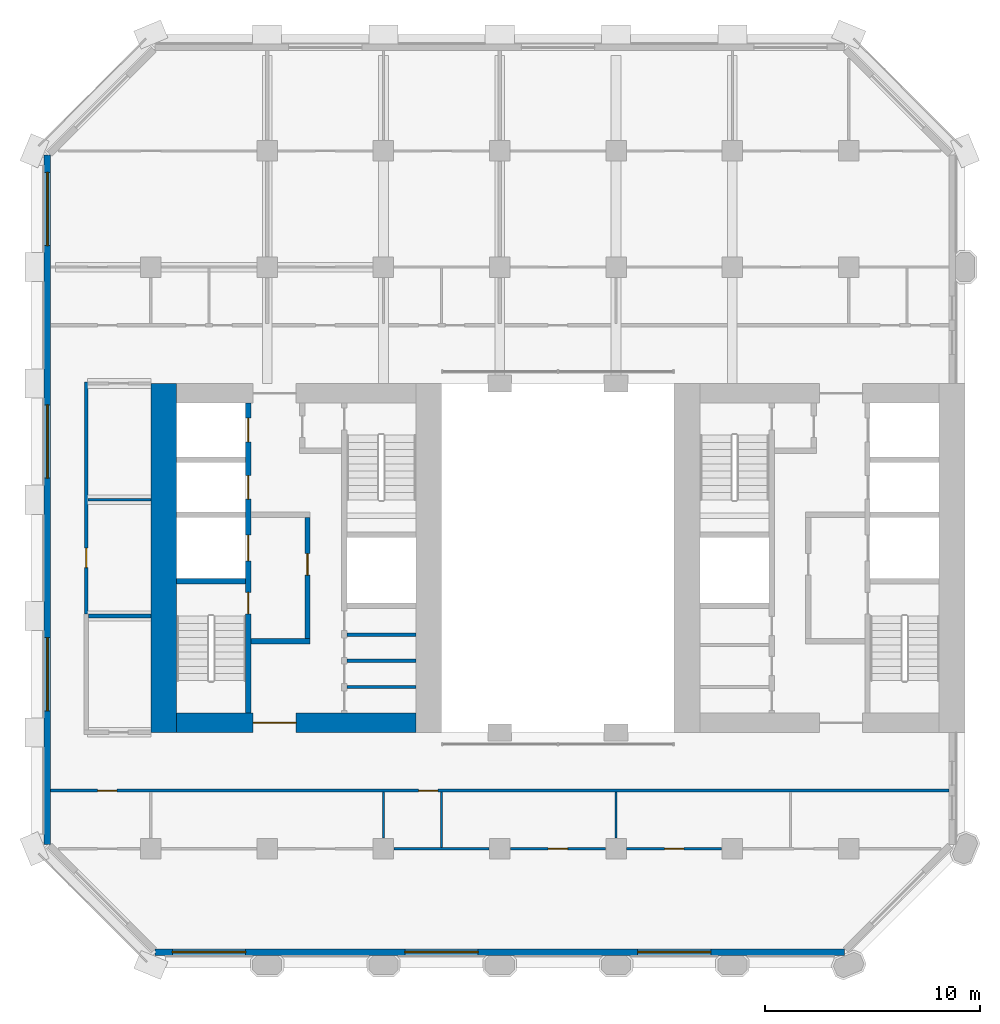
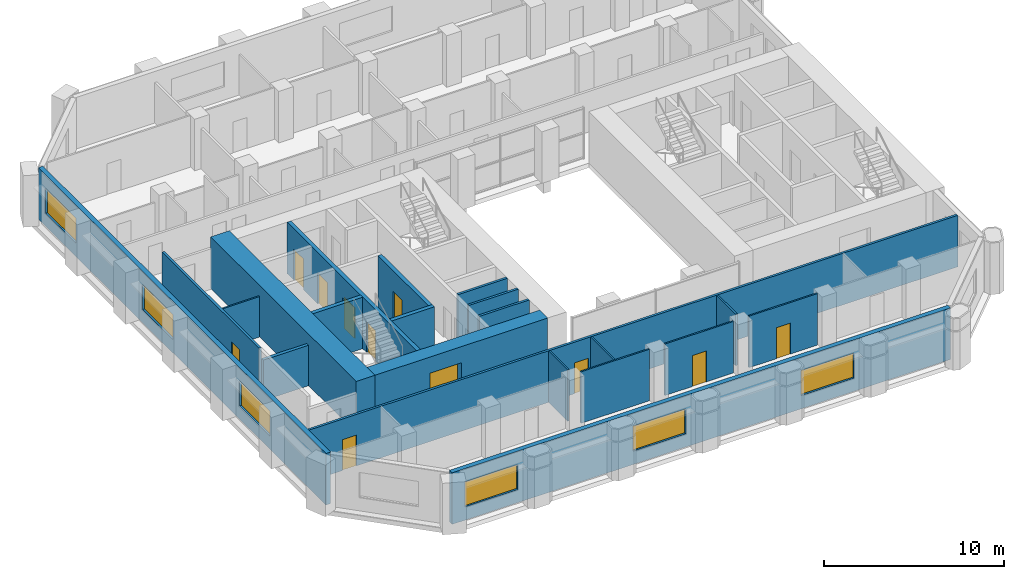
# One storey, part 6 of 13: 21 walls, 11 doors, 6 windows, 17 openings.
"""IFC4 building model written with IfcOpenShell, lengths in metres."""

import ifcopenshell
import ifcopenshell.guid

model = None  # the IFC model being written
_history = None  # IfcOwnerHistory: only IFC2X3 demands one
_inside = {}  # id of a spatial element -> (the spatial element, [elements in it])
_under = {}  # id of a project, library or spatial element -> (it, [spatial elements below it])
_declared = {}  # id of a project -> (the project, [libraries it declares])
_typed = {}  # id of a type object -> (the type object, [elements of that type])
_made_of = {}  # id of a material, layer set ... -> (it, [elements and type objects made of it])


def new_model(schema):
    """Start an empty IFC model of exactly this schema.

    Asked for "IFC4X3", IfcOpenShell would pick the latest addendum, in which some entities
    have other attributes; the version numbers below select the first issue.
    IFC2X3 requires an IfcOwnerHistory on every rooted entity: one is made here for all.
    """
    global model, _history
    if schema == "IFC4X3":
        model = ifcopenshell.file(schema_version=(4, 3, 0, 0))
    else:
        model = ifcopenshell.file(schema=schema)
    _inside.clear()
    _under.clear()
    _declared.clear()
    _typed.clear()
    _made_of.clear()
    _history = None
    if model.schema == "IFC2X3":
        org = make("IfcOrganization", Name="unknown")
        user = make(
            "IfcPersonAndOrganization",
            ThePerson=make("IfcPerson", FamilyName="unknown"),
            TheOrganization=org,
        )
        app = make(
            "IfcApplication",
            ApplicationDeveloper=org,
            Version="unknown",
            ApplicationFullName="unknown",
            ApplicationIdentifier="unknown",
        )
        _history = make(
            "IfcOwnerHistory",
            OwningUser=user,
            OwningApplication=app,
            ChangeAction="ADDED",
            CreationDate=0,
        )
    return model


def make(cls, **values):
    """One entity of the class cls with the attributes given. An attribute that is None is left unset."""
    return model.create_entity(
        cls, **{name: value for name, value in values.items() if value is not None}
    )


def rooted(cls, **values):
    """An entity with a GlobalId (a new one), such as an element, a storey or a relation."""
    return make(cls, GlobalId=ifcopenshell.guid.new(), OwnerHistory=_history, **values)


def si_unit(unit_type, name, prefix=None):
    """IfcSIUnit, for example si_unit("LENGTHUNIT", "METRE", prefix="MILLI")."""
    return make("IfcSIUnit", UnitType=unit_type, Prefix=prefix, Name=name)


def assignment(units):
    """IfcUnitAssignment: the units of a project."""
    return None if units is None else make("IfcUnitAssignment", Units=units)


def point(xyz):
    """IfcCartesianPoint."""
    return None if xyz is None else make("IfcCartesianPoint", Coordinates=xyz)


def direction(xyz):
    """IfcDirection."""
    return None if xyz is None else make("IfcDirection", DirectionRatios=xyz)


def frame(location, z_axis=None, x_axis=None):
    """IfcAxis2Placement3D, a coordinate frame: its origin and axes. An axis left out is left unset."""
    return make(
        "IfcAxis2Placement3D",
        Location=point(location),
        Axis=direction(z_axis),
        RefDirection=direction(x_axis),
    )


def frame_2d(location, x_axis=None):
    """IfcAxis2Placement2D, a coordinate frame in the plane: its origin and x axis."""
    return make(
        "IfcAxis2Placement2D", Location=point(location), RefDirection=direction(x_axis)
    )


def origin():
    """The frame at (0, 0, 0) with its axes left unset."""
    return frame((0.0, 0.0, 0.0))


def place(relative_to, where):
    """IfcLocalPlacement: puts the frame where relative to a parent placement (None: the world)."""
    return make(
        "IfcLocalPlacement", PlacementRelTo=relative_to, RelativePlacement=where
    )


def context(
    kind, dimensions, precision=None, world=None, true_north=None, identifier=None
):
    """IfcGeometricRepresentationContext, for example the 3D "Model" context."""
    return make(
        "IfcGeometricRepresentationContext",
        ContextIdentifier=identifier,
        ContextType=kind,
        CoordinateSpaceDimension=dimensions,
        Precision=precision,
        WorldCoordinateSystem=world,
        TrueNorth=true_north,
    )


def subcontext(parent, identifier, kind, view, scale=None):
    """IfcGeometricRepresentationSubContext, for example "Body" below "Model"."""
    return make(
        "IfcGeometricRepresentationSubContext",
        ContextIdentifier=identifier,
        ContextType=kind,
        ParentContext=parent,
        TargetScale=scale,
        TargetView=view,
    )


def project(units=None, contexts=None):
    """IfcProject with its units and contexts."""
    return rooted(
        "IfcProject",
        Name="project",
        RepresentationContexts=contexts,
        UnitsInContext=assignment(units),
    )


def spatial(cls, under=None, at=None, **own):
    """A site, building, storey or space (cls), placed at a placement, below another one or the project."""
    s = rooted(cls, ObjectPlacement=at, **own)
    if under is not None:
        _under.setdefault(under.id(), (under, []))[1].append(s)
    return s


def profile(cls, at=None, kind="AREA", **sizes):
    """A parametric profile (cls). Its sizes go by their IFC names, for example OverallWidth=200.0."""
    return make(cls, ProfileType=kind, Position=at, **sizes)


def rectangle(**sizes):
    """IfcRectangleProfileDef."""
    return profile("IfcRectangleProfileDef", **sizes)


def extrude(swept, where, along, depth):
    """IfcExtrudedAreaSolid: the profile swept, set in the frame where, extruded along a direction by depth."""
    return make(
        "IfcExtrudedAreaSolid",
        SweptArea=swept,
        Position=where,
        ExtrudedDirection=direction(along),
        Depth=depth,
    )


def shape(context_of_items, identifier, shape_type, items):
    """IfcShapeRepresentation: the items that make up one representation, for example the "Body"."""
    return make(
        "IfcShapeRepresentation",
        ContextOfItems=context_of_items,
        RepresentationIdentifier=identifier,
        RepresentationType=shape_type,
        Items=items,
    )


def material(Name=None, Category=None):
    """IfcMaterial."""
    return make("IfcMaterial", Name=Name, Category=Category)


def layer(
    of_material, thickness, ventilated=None, Name=None, Category=None, Priority=None
):
    """IfcMaterialLayer: one layer of a wall or slab, of a material (None: an air gap)."""
    return make(
        "IfcMaterialLayer",
        Material=of_material,
        LayerThickness=thickness,
        IsVentilated=ventilated,
        Name=Name,
        Category=Category,
        Priority=Priority,
    )


def layer_set(layers, Name=None):
    """IfcMaterialLayerSet."""
    return make("IfcMaterialLayerSet", MaterialLayers=layers, LayerSetName=Name)


def made_of(thing, what):
    """Note that an element or type object is made of a material, layer set ...; save() writes the relation."""
    if what is not None:
        _made_of.setdefault(what.id(), (what, []))[1].append(thing)
    return thing


def type_object(cls, material=None, **own):
    """A type object (cls), such as IfcWallType, which elements share."""
    return made_of(rooted(cls, **own), material)


def element(
    cls,
    number,
    at=None,
    inside=None,
    cuts=None,
    type_object=None,
    material=None,
    context=None,
    identifier="Body",
    shape_type=None,
    held_by="IfcProductDefinitionShape",
    body=None,
    shapes=None,
    **own,
):
    """One element of the class cls, such as IfcWall. Its Tag is "e" and its number.

    at: its placement. inside: the storey or other place that contains it. cuts: it is an
    opening in that element (IfcRelVoidsElement). A single representation is given by context,
    identifier, shape_type and body (its items); several are given by shapes. held_by: the class
    of the entity that holds the representations. save() writes the other relations.
    """
    e = rooted(cls, Tag="e%d" % number, ObjectPlacement=at, **own)
    if body is not None:
        shapes = [shape(context, identifier, shape_type, body)]
    if shapes is not None:
        e.Representation = make(held_by, Representations=shapes)
    if inside is not None:
        _inside.setdefault(inside.id(), (inside, []))[1].append(e)
    if cuts is not None:
        rooted(
            "IfcRelVoidsElement", RelatingBuildingElement=cuts, RelatedOpeningElement=e
        )
    if type_object is not None:
        _typed.setdefault(type_object.id(), (type_object, []))[1].append(e)
    return made_of(e, material)


def fill(opening, filler):
    """IfcRelFillsElement: the door or window that sits in an opening."""
    return rooted(
        "IfcRelFillsElement",
        RelatingOpeningElement=opening,
        RelatedBuildingElement=filler,
    )


def aggregate(whole, parts):
    """IfcRelAggregates: a whole, such as a stair, and the parts it consists of."""
    return rooted("IfcRelAggregates", RelatingObject=whole, RelatedObjects=parts)


def save(model, path):
    """Write the relations noted so far, then the file.

    IfcRelAggregates (storeys below a building ...), IfcRelContainedInSpatialStructure (elements
    in a storey), IfcRelDefinesByType, IfcRelAssociatesMaterial and IfcRelDeclares: one each for
    every whole, place, type object, material and project.
    """
    for whole, parts in _under.values():
        aggregate(whole, parts)
    for where, things in _inside.values():
        rooted(
            "IfcRelContainedInSpatialStructure",
            RelatedElements=things,
            RelatingStructure=where,
        )
    for kind, things in _typed.values():
        rooted("IfcRelDefinesByType", RelatedObjects=things, RelatingType=kind)
    for what, things in _made_of.values():
        rooted("IfcRelAssociatesMaterial", RelatedObjects=things, RelatingMaterial=what)
    for by, libraries in _declared.values():
        rooted("IfcRelDeclares", RelatingContext=by, RelatedDefinitions=libraries)
    model.write(path)


model = new_model("IFC4")

# Units and contexts
model_context = context("Model", 3, precision=1e-05, world=origin(), true_north=direction((0.0, 1.0)))
body_context = subcontext(model_context, "Body", "Model", "MODEL_VIEW")
ifc_project = project(units=[si_unit("LENGTHUNIT", "METRE"), si_unit("AREAUNIT", "SQUARE_METRE"), si_unit("VOLUMEUNIT", "CUBIC_METRE"), si_unit("PLANEANGLEUNIT", "RADIAN"), si_unit("MASSUNIT", "GRAM", prefix="KILO")], contexts=[model_context])

# Site, building, storey
site_placement = place(None, origin())
site = spatial("IfcSite", under=ifc_project, at=site_placement, CompositionType="ELEMENT")
building_placement = place(site_placement, origin())
building = spatial("IfcBuilding", under=site, at=building_placement, Name="Tabaq Tower and Sports Hall", CompositionType="ELEMENT")
storey_placement = place(building_placement, frame((0.0, 0.0, 103.0)))
storey = spatial("IfcBuildingStorey", under=building, at=storey_placement, Name="L24", CompositionType="ELEMENT", Elevation=103.0)

# Walls
ifc_material_1 = material(Name="Blockwork", Category="masonry")
ifc_layer_1 = layer(ifc_material_1, 0.14990234375)
ifc_layer_set_1 = layer_set([ifc_layer_1], Name="Core room partition 150 Blockwork")
wall_type_1 = type_object("IfcWallType", Name="Core room partition 150 Blockwork", PredefinedType="PARTITIONING", material=ifc_layer_set_1)
for number, where, z_axis, x_axis, name in (
    (1, (14.5, 18.31201171875, 0.0), (0.0, 0.0, 1.0), (1.0, 0.0, 0.0), "Core room partition W L24"),
    (2, (14.5, 19.52490234375, 0.0), (0.0, 0.0, 1.0), (1.0, 0.0, 0.0), "Core room partition W L24"),
    (3, (14.5, 20.737060546875, 0.0), (0.0, 0.0, 1.0), (1.0, 0.0, 0.0), "Core room partition W L24"),
):
    element("IfcWall", number, at=place(storey_placement, frame(where, z_axis=z_axis, x_axis=x_axis)), inside=storey, type_object=wall_type_1, Name=name, PredefinedType="PARTITIONING", context=body_context, shape_type="SweptSolid", body=[
        extrude(rectangle(XDim=3.199951171875, YDim=0.14990234375, at=frame_2d((1.60009765625, 0.0))), origin(), (0.0, 0.0, 1.0), 3.5),
    ])
ifc_material_2 = material(Name="Concrete C60/75", Category="concrete")
ifc_layer_2 = layer(ifc_material_2, 1.199951171875)
ifc_layer_set_2 = layer_set([ifc_layer_2], Name="Core wall 1200 Concrete C60/75")
wall_type_2 = type_object("IfcWallType", Name="Core wall 1200 Concrete C60/75", PredefinedType="SOLIDWALL", material=ifc_layer_set_2)
wall_1_placement = place(storey_placement, frame((6.0, 16.199951171875, 0.0), z_axis=(0.0, 0.0, 1.0), x_axis=(0.0, 1.0, 0.0)))
element("IfcWall", 4, at=wall_1_placement, inside=storey, type_object=wall_type_2, Name="Core wall W L24", PredefinedType="SOLIDWALL", context=body_context, shape_type="SweptSolid", body=[
    extrude(rectangle(XDim=16.199951171875, YDim=1.199951171875, at=frame_2d((8.10009765625, 0.0))), origin(), (0.0, 0.0, 1.0), 3.5),
])

# Wall, opening, door
ifc_material_3 = material(Name="Concrete C60/75", Category="concrete")
ifc_layer_3 = layer(ifc_material_3, 0.89990234375)
ifc_layer_set_3 = layer_set([ifc_layer_3], Name="Core wall 900 Concrete C60/75")
wall_type_3 = type_object("IfcWallType", Name="Core wall 900 Concrete C60/75", PredefinedType="SOLIDWALL", material=ifc_layer_set_3)
wall_2_placement = place(storey_placement, frame((17.699951171875, 16.64990234375, 0.0), z_axis=(0.0, 0.0, 1.0), x_axis=(-1.0, 0.0, 0.0)))
wall_2 = element("IfcWall", 5, at=wall_2_placement, inside=storey, type_object=wall_type_3, Name="Core wall W L24", PredefinedType="SOLIDWALL", context=body_context, shape_type="SweptSolid", body=[
    extrude(rectangle(XDim=11.099853515625, YDim=0.89990234375, at=frame_2d((5.5498046875, 0.0))), origin(), (0.0, 0.0, 1.0), 3.5),
])
opening_1_placement = place(wall_2_placement, frame((5.550048828125, 0.0, 0.0)))
opening_1 = element("IfcOpeningElement", 6, at=opening_1_placement, cuts=wall_2, Name="Opening PD-WL24-01", PredefinedType="OPENING", context=body_context, shape_type="SweptSolid", body=[
    extrude(rectangle(XDim=2.0, YDim=2.39990234375, at=frame_2d((1.0, 1.199951171875))), frame((0.0, 0.449951171875, 0.0), z_axis=(0.0, -1.0, 0.0), x_axis=(1.0, 0.0, 0.0)), (0.0, 0.0, 1.0), 0.89990234375),
])
ifc_material_4 = material(Name="Steel fire door", Category="steel")
door_type_1 = type_object("IfcDoorType", Name="Core entrance door 2000", OperationType="DOUBLE_DOOR_SINGLE_SWING", PredefinedType="DOOR", material=ifc_material_4)
door_1_placement = place(opening_1_placement, origin())
door_1 = element("IfcDoor", 7, at=door_1_placement, inside=storey, type_object=door_type_1, Name="Core entrance south W L24", OperationType="DOUBLE_DOOR_SINGLE_SWING", OverallHeight=2.39990234375, OverallWidth=2.0, PredefinedType="DOOR", context=body_context, shape_type="SweptSolid", body=[
    extrude(rectangle(XDim=2.0, YDim=2.39990234375, at=frame_2d((1.0, 1.199951171875))), frame((0.0, 0.02490234375, 0.0), z_axis=(0.0, -1.0, 0.0), x_axis=(1.0, 0.0, 0.0)), (0.0, 0.0, 1.0), 0.050048828125),
])
fill(opening_1, door_1)

# Walls
ifc_material_5 = material(Name="Blockwork", Category="masonry")
ifc_layer_4 = layer(ifc_material_5, 0.199951171875)
ifc_layer_set_4 = layer_set([ifc_layer_4], Name="Fire compartment wall 200 Blockwork")
wall_type_4 = type_object("IfcWallType", Name="Fire compartment wall 200 Blockwork", PredefinedType="PARTITIONING", material=ifc_layer_set_4)
wall_3_placement = place(storey_placement, frame((5.39990234375, 21.60009765625, 0.0), z_axis=(0.0, 0.0, 1.0), x_axis=(-1.0, 0.0, 0.0)))
element("IfcWall", 8, at=wall_3_placement, inside=storey, type_object=wall_type_4, Name="Compartment wall L24", PredefinedType="PARTITIONING", context=body_context, shape_type="SweptSolid", body=[
    extrude(rectangle(XDim=2.89990234375, YDim=0.199951171875, at=frame_2d((1.449951171875, 0.0))), origin(), (0.0, 0.0, 1.0), 2.75),
])
ifc_material_6 = material(Name="Gypsum board on steel studs", Category="steel")
ifc_layer_5 = layer(ifc_material_6, 0.10009765625)
ifc_layer_set_5 = layer_set([ifc_layer_5], Name="Partition 100 Gypsum board")
wall_type_5 = type_object("IfcWallType", Name="Partition 100 Gypsum board", PredefinedType="PARTITIONING", material=ifc_layer_set_5)
wall_4_placement = place(storey_placement, frame((16.199951171875, 11.294921875, 0.0), z_axis=(0.0, 0.0, 1.0), x_axis=(0.0, 1.0, 0.0)))
element("IfcWall", 9, at=wall_4_placement, inside=storey, type_object=wall_type_5, Name="Partition wall L24", PredefinedType="PARTITIONING", context=body_context, shape_type="SweptSolid", body=[
    extrude(rectangle(XDim=2.130126953125, YDim=0.10009765625, at=frame_2d((1.06494140625, 0.0))), origin(), (0.0, 0.0, 1.0), 3.5),
])
wall_5_placement = place(storey_placement, frame((18.89990234375, 10.85009765625, 0.0), z_axis=(0.0, 0.0, 1.0), x_axis=(0.0, 1.0, 0.0)))
element("IfcWall", 10, at=wall_5_placement, inside=storey, type_object=wall_type_5, Name="Partition wall L24", PredefinedType="PARTITIONING", context=body_context, shape_type="SweptSolid", body=[
    extrude(rectangle(XDim=2.574951171875, YDim=0.10009765625, at=frame_2d((1.28759765625, 0.0))), origin(), (0.0, 0.0, 1.0), 3.5),
])
wall_6_placement = place(storey_placement, frame((16.695068359375, 10.800048828125, 0.0), z_axis=(0.0, 0.0, 1.0), x_axis=(1.0, 0.0, 0.0)))
element("IfcWall", 11, at=wall_6_placement, inside=storey, type_object=wall_type_5, Name="Partition wall L24", PredefinedType="PARTITIONING", context=body_context, shape_type="SweptSolid", body=[
    extrude(rectangle(XDim=4.409912109375, YDim=0.10009765625, at=frame_2d((2.205078125, 0.0))), origin(), (0.0, 0.0, 1.0), 3.5),
])

# Wall, opening, door
wall_7_placement = place(storey_placement, frame((22.094970703125, 10.800048828125, 0.0), z_axis=(0.0, 0.0, 1.0), x_axis=(1.0, 0.0, 0.0)))
wall_7 = element("IfcWall", 12, at=wall_7_placement, inside=storey, type_object=wall_type_5, Name="Partition wall L24", PredefinedType="PARTITIONING", context=body_context, shape_type="SweptSolid", body=[
    extrude(rectangle(XDim=4.409912109375, YDim=0.10009765625, at=frame_2d((2.205078125, 0.0))), origin(), (0.0, 0.0, 1.0), 3.5),
])
opening_2_placement = place(wall_7_placement, frame((1.7548828125, 0.0, 0.0)))
opening_2 = element("IfcOpeningElement", 13, at=opening_2_placement, cuts=wall_7, Name="Opening L24-019", PredefinedType="OPENING", context=body_context, shape_type="SweptSolid", body=[
    extrude(rectangle(XDim=0.89990234375, YDim=2.10009765625, at=frame_2d((0.449951171875, 1.050048828125))), frame((0.0, 0.050048828125, 0.0), z_axis=(0.0, -1.0, 0.0), x_axis=(1.0, 0.0, 0.0)), (0.0, 0.0, 1.0), 0.10009765625),
])
ifc_material_7 = material(Name="Timber leaf in steel frame", Category="steel")
door_type_2 = type_object("IfcDoorType", Name="Internal door 900 right hand", OperationType="SINGLE_SWING_RIGHT", PredefinedType="DOOR", material=ifc_material_7)
door_2_placement = place(opening_2_placement, origin())
door_2 = element("IfcDoor", 14, at=door_2_placement, inside=storey, type_object=door_type_2, Name="Internal door L24-019", OperationType="SINGLE_SWING_RIGHT", OverallHeight=2.10009765625, OverallWidth=0.89990234375, PredefinedType="DOOR", context=body_context, shape_type="SweptSolid", body=[
    extrude(rectangle(XDim=0.89990234375, YDim=2.10009765625, at=frame_2d((0.449951171875, 1.050048828125))), frame((0.0, 0.02490234375, 0.0), z_axis=(0.0, -1.0, 0.0), x_axis=(1.0, 0.0, 0.0)), (0.0, 0.0, 1.0), 0.050048828125),
])
fill(opening_2, door_2)

# Wall
wall_8_placement = place(storey_placement, frame((27.0, 11.294921875, 0.0), z_axis=(0.0, 0.0, 1.0), x_axis=(0.0, 1.0, 0.0)))
element("IfcWall", 15, at=wall_8_placement, inside=storey, type_object=wall_type_5, Name="Partition wall L24", PredefinedType="PARTITIONING", context=body_context, shape_type="SweptSolid", body=[
    extrude(rectangle(XDim=2.130126953125, YDim=0.10009765625, at=frame_2d((1.06494140625, 0.0))), origin(), (0.0, 0.0, 1.0), 3.5),
])

# Wall, opening, door
wall_9_placement = place(storey_placement, frame((27.4951171875, 10.800048828125, 0.0), z_axis=(0.0, 0.0, 1.0), x_axis=(1.0, 0.0, 0.0)))
wall_9 = element("IfcWall", 16, at=wall_9_placement, inside=storey, type_object=wall_type_5, Name="Partition wall L24", PredefinedType="PARTITIONING", context=body_context, shape_type="SweptSolid", body=[
    extrude(rectangle(XDim=4.409912109375, YDim=0.10009765625, at=frame_2d((2.205078125, 0.0))), origin(), (0.0, 0.0, 1.0), 3.5),
])
opening_3_placement = place(wall_9_placement, frame((1.7548828125, 0.0, 0.0)))
opening_3 = element("IfcOpeningElement", 17, at=opening_3_placement, cuts=wall_9, Name="Opening L24-020", PredefinedType="OPENING", context=body_context, shape_type="SweptSolid", body=[
    extrude(rectangle(XDim=0.89990234375, YDim=2.10009765625, at=frame_2d((0.449951171875, 1.050048828125))), frame((0.0, 0.050048828125, 0.0), z_axis=(0.0, -1.0, 0.0), x_axis=(1.0, 0.0, 0.0)), (0.0, 0.0, 1.0), 0.10009765625),
])
ifc_material_8 = material(Name="Timber leaf in steel frame", Category="steel")
door_type_3 = type_object("IfcDoorType", Name="Internal door 900 left hand", OperationType="SINGLE_SWING_LEFT", PredefinedType="DOOR", material=ifc_material_8)
door_3_placement = place(opening_3_placement, origin())
door_3 = element("IfcDoor", 18, at=door_3_placement, inside=storey, type_object=door_type_3, Name="Internal door L24-020", OperationType="SINGLE_SWING_LEFT", OverallHeight=2.10009765625, OverallWidth=0.89990234375, PredefinedType="DOOR", context=body_context, shape_type="SweptSolid", body=[
    extrude(rectangle(XDim=0.89990234375, YDim=2.10009765625, at=frame_2d((0.449951171875, 1.050048828125))), frame((0.0, 0.02490234375, 0.0), z_axis=(0.0, -1.0, 0.0), x_axis=(1.0, 0.0, 0.0)), (0.0, 0.0, 1.0), 0.050048828125),
])
fill(opening_3, door_3)

# Wall
wall_10_placement = place(storey_placement, frame((5.39990234375, 27.0, 0.0), z_axis=(0.0, 0.0, 1.0), x_axis=(-1.0, 0.0, 0.0)))
element("IfcWall", 19, at=wall_10_placement, inside=storey, type_object=wall_type_5, Name="Partition wall L24", PredefinedType="PARTITIONING", context=body_context, shape_type="SweptSolid", body=[
    extrude(rectangle(XDim=2.9248046875, YDim=0.10009765625, at=frame_2d((1.46240234375, 0.0))), origin(), (0.0, 0.0, 1.0), 2.75),
])

# Wall, opening, door
ifc_material_9 = material(Name="Blockwork", Category="masonry")
ifc_layer_6 = layer(ifc_material_9, 0.14990234375)
ifc_layer_set_6 = layer_set([ifc_layer_6], Name="Separating wall 150 Blockwork")
wall_type_6 = type_object("IfcWallType", Name="Separating wall 150 Blockwork", PredefinedType="PARTITIONING", material=ifc_layer_set_6)
wall_11_placement = place(storey_placement, frame((2.39990234375, 21.699951171875, 0.0), z_axis=(0.0, 0.0, 1.0), x_axis=(0.0, 1.0, 0.0)))
wall_11 = element("IfcWall", 20, at=wall_11_placement, inside=storey, type_object=wall_type_6, Name="Separating wall L24", PredefinedType="PARTITIONING", context=body_context, shape_type="SweptSolid", body=[
    extrude(rectangle(XDim=10.775146484375, YDim=0.14990234375, at=frame_2d((5.3876953125, 0.0))), origin(), (0.0, 0.0, 1.0), 3.5),
])
opening_4_placement = place(wall_11_placement, frame((2.14990234375, 0.0, 0.0)))
opening_4 = element("IfcOpeningElement", 21, at=opening_4_placement, cuts=wall_11, Name="Opening L24-009", PredefinedType="OPENING", context=body_context, shape_type="SweptSolid", body=[
    extrude(rectangle(XDim=0.89990234375, YDim=2.10009765625, at=frame_2d((0.449951171875, 1.050048828125))), frame((0.0, 0.074951171875, 0.0), z_axis=(0.0, -1.0, 0.0), x_axis=(1.0, 0.0, 0.0)), (0.0, 0.0, 1.0), 0.14990234375),
])
door_4_placement = place(opening_4_placement, origin())
door_4 = element("IfcDoor", 22, at=door_4_placement, inside=storey, type_object=door_type_2, Name="Internal door L24-009", OperationType="SINGLE_SWING_RIGHT", OverallHeight=2.10009765625, OverallWidth=0.89990234375, PredefinedType="DOOR", context=body_context, shape_type="SweptSolid", body=[
    extrude(rectangle(XDim=0.89990234375, YDim=2.10009765625, at=frame_2d((0.449951171875, 1.050048828125))), frame((0.0, 0.02490234375, 0.0), z_axis=(0.0, -1.0, 0.0), x_axis=(1.0, 0.0, 0.0)), (0.0, 0.0, 1.0), 0.050048828125),
])
fill(opening_4, door_4)

# Wall, openings, doors
wall_12_placement = place(storey_placement, frame((0.7509765625, 13.5, 0.0), z_axis=(0.0, 0.0, 1.0), x_axis=(1.0, 0.0, 0.0)))
wall_12 = element("IfcWall", 23, at=wall_12_placement, inside=storey, type_object=wall_type_6, Name="Separating wall L24", PredefinedType="PARTITIONING", context=body_context, shape_type="SweptSolid", body=[
    extrude(rectangle(XDim=41.697998046875, YDim=0.14990234375, at=frame_2d((20.84912109375, 0.0))), origin(), (0.0, 0.0, 1.0), 3.5),
])
opening_5_placement = place(wall_12_placement, frame((17.0791015625, 0.0, 0.0)))
opening_5 = element("IfcOpeningElement", 24, at=opening_5_placement, cuts=wall_12, Name="Opening L24-007", PredefinedType="OPENING", context=body_context, shape_type="SweptSolid", body=[
    extrude(rectangle(XDim=0.89990234375, YDim=2.10009765625, at=frame_2d((0.449951171875, 1.050048828125))), frame((0.0, 0.074951171875, 0.0), z_axis=(0.0, -1.0, 0.0), x_axis=(1.0, 0.0, 0.0)), (0.0, 0.0, 1.0), 0.14990234375),
])
opening_6_placement = place(wall_12_placement, frame((2.174072265625, 0.0, 0.0)))
opening_6 = element("IfcOpeningElement", 25, at=opening_6_placement, cuts=wall_12, Name="Opening L24-025", PredefinedType="OPENING", context=body_context, shape_type="SweptSolid", body=[
    extrude(rectangle(XDim=0.89990234375, YDim=2.10009765625, at=frame_2d((0.449951171875, 1.050048828125))), frame((0.0, 0.074951171875, 0.0), z_axis=(0.0, -1.0, 0.0), x_axis=(1.0, 0.0, 0.0)), (0.0, 0.0, 1.0), 0.14990234375),
])
ifc_material_10 = material(Name="Steel fire door", Category="steel")
door_type_4 = type_object("IfcDoorType", Name="Entrance door 900 right hand", OperationType="SINGLE_SWING_RIGHT", PredefinedType="DOOR", material=ifc_material_10)
door_5_placement = place(opening_5_placement, origin())
door_5 = element("IfcDoor", 26, at=door_5_placement, inside=storey, type_object=door_type_4, Name="Entrance door L24-007", OperationType="SINGLE_SWING_RIGHT", OverallHeight=2.10009765625, OverallWidth=0.89990234375, PredefinedType="DOOR", context=body_context, shape_type="SweptSolid", body=[
    extrude(rectangle(XDim=0.89990234375, YDim=2.10009765625, at=frame_2d((0.449951171875, 1.050048828125))), frame((0.0, 0.02490234375, 0.0), z_axis=(0.0, -1.0, 0.0), x_axis=(1.0, 0.0, 0.0)), (0.0, 0.0, 1.0), 0.050048828125),
])
fill(opening_5, door_5)
door_6_placement = place(opening_6_placement, origin())
door_6 = element("IfcDoor", 27, at=door_6_placement, inside=storey, type_object=door_type_4, Name="Entrance door L24-025", OperationType="SINGLE_SWING_RIGHT", OverallHeight=2.10009765625, OverallWidth=0.89990234375, PredefinedType="DOOR", context=body_context, shape_type="SweptSolid", body=[
    extrude(rectangle(XDim=0.89990234375, YDim=2.10009765625, at=frame_2d((0.449951171875, 1.050048828125))), frame((0.0, 0.02490234375, 0.0), z_axis=(0.0, -1.0, 0.0), x_axis=(1.0, 0.0, 0.0)), (0.0, 0.0, 1.0), 0.050048828125),
])
fill(opening_6, door_6)

ifc_material_11 = material(Name="Concrete C40/50", Category="concrete")
ifc_layer_7 = layer(ifc_material_11, 0.25)
ifc_layer_set_7 = layer_set([ifc_layer_7], Name="Shaft and stair wall 250 Concrete C40/50")
wall_type_7 = type_object("IfcWallType", Name="Shaft and stair wall 250 Concrete C40/50", PredefinedType="SOLIDWALL", material=ifc_layer_set_7)
wall_13_placement = place(storey_placement, frame((9.925048828125, 17.10009765625, 0.0), z_axis=(0.0, 0.0, 1.0), x_axis=(0.0, 1.0, 0.0)))
wall_13 = element("IfcWall", 28, at=wall_13_placement, inside=storey, type_object=wall_type_7, Name="Shaft wall W L24", PredefinedType="SOLIDWALL", context=body_context, shape_type="SweptSolid", body=[
    extrude(rectangle(XDim=14.39990234375, YDim=0.25, at=frame_2d((7.199951171875, 0.0))), origin(), (0.0, 0.0, 1.0), 3.5),
])
opening_7_placement = place(wall_13_placement, frame((4.60009765625, 0.0, 0.0)))
opening_7 = element("IfcOpeningElement", 29, at=opening_7_placement, cuts=wall_13, Name="Opening SD-WL24-03", PredefinedType="OPENING", context=body_context, shape_type="SweptSolid", body=[
    extrude(rectangle(XDim=1.0, YDim=2.10009765625, at=frame_2d((0.5, 1.050048828125))), frame((0.0, 0.125, 0.0), z_axis=(0.0, -1.0, 0.0), x_axis=(1.0, 0.0, 0.0)), (0.0, 0.0, 1.0), 0.25),
])
opening_8_placement = place(wall_13_placement, frame((7.0625, 0.0, 0.0)))
opening_8 = element("IfcOpeningElement", 30, at=opening_8_placement, cuts=wall_13, Name="Opening LD-FF1-L24", PredefinedType="OPENING", context=body_context, shape_type="SweptSolid", body=[
    extrude(rectangle(XDim=1.199951171875, YDim=2.10009765625, at=frame_2d((0.60009765625, 1.050048828125))), frame((0.0, 0.125, 0.0), z_axis=(0.0, -1.0, 0.0), x_axis=(1.0, 0.0, 0.0)), (0.0, 0.0, 1.0), 0.25),
])
opening_9_placement = place(wall_13_placement, frame((9.925048828125, 0.0, 0.0)))
opening_9 = element("IfcOpeningElement", 31, at=opening_9_placement, cuts=wall_13, Name="Opening LD-LR1-L24", PredefinedType="OPENING", context=body_context, shape_type="SweptSolid", body=[
    extrude(rectangle(XDim=1.10009765625, YDim=2.10009765625, at=frame_2d((0.550048828125, 1.050048828125))), frame((0.0, 0.125, 0.0), z_axis=(0.0, -1.0, 0.0), x_axis=(1.0, 0.0, 0.0)), (0.0, 0.0, 1.0), 0.25),
])
opening_10_placement = place(wall_13_placement, frame((12.58740234375, 0.0, 0.0)))
opening_10 = element("IfcOpeningElement", 32, at=opening_10_placement, cuts=wall_13, Name="Opening LD-LR2-L24", PredefinedType="OPENING", context=body_context, shape_type="SweptSolid", body=[
    extrude(rectangle(XDim=1.10009765625, YDim=2.10009765625, at=frame_2d((0.550048828125, 1.050048828125))), frame((0.0, 0.125, 0.0), z_axis=(0.0, -1.0, 0.0), x_axis=(1.0, 0.0, 0.0)), (0.0, 0.0, 1.0), 0.25),
])
ifc_material_12 = material(Name="Stainless steel", Category="steel")
door_type_5 = type_object("IfcDoorType", Name="Lift landing door 1100", OperationType="DOUBLE_DOOR_SLIDING", PredefinedType="DOOR", material=ifc_material_12)
door_7_placement = place(opening_9_placement, origin())
door_7 = element("IfcDoor", 33, at=door_7_placement, inside=storey, type_object=door_type_5, Name="Lift landing door LR1 W L24", OperationType="DOUBLE_DOOR_SLIDING", OverallHeight=2.10009765625, OverallWidth=1.10009765625, PredefinedType="DOOR", context=body_context, shape_type="SweptSolid", body=[
    extrude(rectangle(XDim=1.10009765625, YDim=2.10009765625, at=frame_2d((0.550048828125, 1.050048828125))), frame((0.0, 0.02490234375, 0.0), z_axis=(0.0, -1.0, 0.0), x_axis=(1.0, 0.0, 0.0)), (0.0, 0.0, 1.0), 0.050048828125),
])
fill(opening_9, door_7)
door_8_placement = place(opening_10_placement, origin())
door_8 = element("IfcDoor", 34, at=door_8_placement, inside=storey, type_object=door_type_5, Name="Lift landing door LR2 W L24", OperationType="DOUBLE_DOOR_SLIDING", OverallHeight=2.10009765625, OverallWidth=1.10009765625, PredefinedType="DOOR", context=body_context, shape_type="SweptSolid", body=[
    extrude(rectangle(XDim=1.10009765625, YDim=2.10009765625, at=frame_2d((0.550048828125, 1.050048828125))), frame((0.0, 0.02490234375, 0.0), z_axis=(0.0, -1.0, 0.0), x_axis=(1.0, 0.0, 0.0)), (0.0, 0.0, 1.0), 0.050048828125),
])
fill(opening_10, door_8)
ifc_material_13 = material(Name="Stainless steel", Category="steel")
door_type_6 = type_object("IfcDoorType", Name="Lift landing door 1200", OperationType="DOUBLE_DOOR_SLIDING", PredefinedType="DOOR", material=ifc_material_13)
door_9_placement = place(opening_8_placement, origin())
door_9 = element("IfcDoor", 35, at=door_9_placement, inside=storey, type_object=door_type_6, Name="Lift landing door FF1 W L24", OperationType="DOUBLE_DOOR_SLIDING", OverallHeight=2.10009765625, OverallWidth=1.199951171875, PredefinedType="DOOR", context=body_context, shape_type="SweptSolid", body=[
    extrude(rectangle(XDim=1.199951171875, YDim=2.10009765625, at=frame_2d((0.60009765625, 1.050048828125))), frame((0.0, 0.02490234375, 0.0), z_axis=(0.0, -1.0, 0.0), x_axis=(1.0, 0.0, 0.0)), (0.0, 0.0, 1.0), 0.050048828125),
])
fill(opening_8, door_9)
ifc_material_14 = material(Name="Steel fire door", Category="steel")
door_type_7 = type_object("IfcDoorType", Name="Stair door 1000", OperationType="SINGLE_SWING_LEFT", PredefinedType="DOOR", material=ifc_material_14)
door_10_placement = place(opening_7_placement, origin())
door_10 = element("IfcDoor", 36, at=door_10_placement, inside=storey, type_object=door_type_7, Name="Stair door ST1 W L24", OperationType="SINGLE_SWING_LEFT", OverallHeight=2.10009765625, OverallWidth=1.0, PredefinedType="DOOR", context=body_context, shape_type="SweptSolid", body=[
    extrude(rectangle(XDim=1.0, YDim=2.10009765625, at=frame_2d((0.5, 1.050048828125))), frame((0.0, 0.02490234375, 0.0), z_axis=(0.0, -1.0, 0.0), x_axis=(1.0, 0.0, 0.0)), (0.0, 0.0, 1.0), 0.050048828125),
])
fill(opening_7, door_10)

# Walls
wall_14_placement = place(storey_placement, frame((6.60009765625, 23.22509765625, 0.0), z_axis=(0.0, 0.0, 1.0), x_axis=(1.0, 0.0, 0.0)))
element("IfcWall", 37, at=wall_14_placement, inside=storey, type_object=wall_type_7, Name="Stair enclosure wall W L24", PredefinedType="SOLIDWALL", context=body_context, shape_type="SweptSolid", body=[
    extrude(rectangle(XDim=3.199951171875, YDim=0.25, at=frame_2d((1.60009765625, 0.0))), origin(), (0.0, 0.0, 1.0), 3.5),
])
wall_15_placement = place(storey_placement, frame((10.050048828125, 20.425048828125, 0.0), z_axis=(0.0, 0.0, 1.0), x_axis=(1.0, 0.0, 0.0)))
element("IfcWall", 38, at=wall_15_placement, inside=storey, type_object=wall_type_7, Name="Fire-fighting lobby wall W L24", PredefinedType="SOLIDWALL", context=body_context, shape_type="SweptSolid", body=[
    extrude(rectangle(XDim=2.75, YDim=0.25, at=frame_2d((1.375, 0.0))), origin(), (0.0, 0.0, 1.0), 3.5),
])

# Wall, opening, door
wall_16_placement = place(storey_placement, frame((12.675048828125, 20.550048828125, 0.0), z_axis=(0.0, 0.0, 1.0), x_axis=(0.0, 1.0, 0.0)))
wall_16 = element("IfcWall", 39, at=wall_16_placement, inside=storey, type_object=wall_type_7, Name="Fire-fighting lobby wall W L24", PredefinedType="SOLIDWALL", context=body_context, shape_type="SweptSolid", body=[
    extrude(rectangle(XDim=5.625, YDim=0.25, at=frame_2d((2.8125, 0.0))), origin(), (0.0, 0.0, 1.0), 3.5),
])
opening_11_placement = place(wall_16_placement, frame((2.949951171875, 0.0, 0.0)))
opening_11 = element("IfcOpeningElement", 40, at=opening_11_placement, cuts=wall_16, Name="Opening FD-WL24-04", PredefinedType="OPENING", context=body_context, shape_type="SweptSolid", body=[
    extrude(rectangle(XDim=1.0, YDim=2.10009765625, at=frame_2d((0.5, 1.050048828125))), frame((0.0, 0.125, 0.0), z_axis=(0.0, -1.0, 0.0), x_axis=(1.0, 0.0, 0.0)), (0.0, 0.0, 1.0), 0.25),
])
ifc_material_15 = material(Name="Steel fire door", Category="steel")
door_type_8 = type_object("IfcDoorType", Name="Fire-fighting lobby door 1000", OperationType="SINGLE_SWING_LEFT", PredefinedType="DOOR", material=ifc_material_15)
door_11_placement = place(opening_11_placement, origin())
door_11 = element("IfcDoor", 41, at=door_11_placement, inside=storey, type_object=door_type_8, Name="Fire-fighting lobby door W L24", OperationType="SINGLE_SWING_LEFT", OverallHeight=2.10009765625, OverallWidth=1.0, PredefinedType="DOOR", context=body_context, shape_type="SweptSolid", body=[
    extrude(rectangle(XDim=1.0, YDim=2.10009765625, at=frame_2d((0.5, 1.050048828125))), frame((0.0, 0.02490234375, 0.0), z_axis=(0.0, -1.0, 0.0), x_axis=(1.0, 0.0, 0.0)), (0.0, 0.0, 1.0), 0.050048828125),
])
fill(opening_11, door_11)

# Wall, openings, windows
ifc_material_16 = material(Name="White precast concrete C60/75", Category="concrete")
ifc_layer_8 = layer(ifc_material_16, 0.300048828125)
ifc_layer_set_8 = layer_set([ifc_layer_8], Name="White precast concrete C60/75 external wall 300")
wall_type_8 = type_object("IfcWallType", Name="White precast concrete C60/75 external wall 300", PredefinedType="SOLIDWALL", material=ifc_layer_set_8)
wall_17_placement = place(storey_placement, frame((5.58642578125, 6.0, 0.0), z_axis=(0.0, 0.0, 1.0), x_axis=(1.0, 0.0, 0.0)))
wall_17 = element("IfcWall", 42, at=wall_17_placement, inside=storey, type_object=wall_type_8, Name="External Wall L24 S", PredefinedType="SOLIDWALL", context=body_context, shape_type="SweptSolid", body=[
    extrude(rectangle(XDim=32.027099609375, YDim=0.300048828125, at=frame_2d((16.013671875, 0.0))), origin(), (0.0, 0.0, 1.0), 3.5),
])
opening_12_placement = place(wall_17_placement, frame((0.813720703125, 0.0, 0.89990234375)))
opening_12 = element("IfcOpeningElement", 43, at=opening_12_placement, cuts=wall_17, Name="Opening W1A", PredefinedType="OPENING", context=body_context, shape_type="SweptSolid", body=[
    extrude(rectangle(XDim=3.39990234375, YDim=1.699951171875, at=frame_2d((1.699951171875, 0.85009765625))), frame((0.0, 0.16015625, 0.0), z_axis=(0.0, -1.0, 0.0), x_axis=(1.0, 0.0, 0.0)), (0.0, 0.0, 1.0), 0.320068359375),
])
opening_13_placement = place(wall_17_placement, frame((11.613525390625, 0.0, 0.89990234375)))
opening_13 = element("IfcOpeningElement", 44, at=opening_13_placement, cuts=wall_17, Name="Opening W1A", PredefinedType="OPENING", context=body_context, shape_type="SweptSolid", body=[
    extrude(rectangle(XDim=3.39990234375, YDim=1.699951171875, at=frame_2d((1.699951171875, 0.85009765625))), frame((0.0, 0.16015625, 0.0), z_axis=(0.0, -1.0, 0.0), x_axis=(1.0, 0.0, 0.0)), (0.0, 0.0, 1.0), 0.320068359375),
])
opening_14_placement = place(wall_17_placement, frame((22.41357421875, 0.0, 0.89990234375)))
opening_14 = element("IfcOpeningElement", 45, at=opening_14_placement, cuts=wall_17, Name="Opening W1A", PredefinedType="OPENING", context=body_context, shape_type="SweptSolid", body=[
    extrude(rectangle(XDim=3.39990234375, YDim=1.699951171875, at=frame_2d((1.699951171875, 0.85009765625))), frame((0.0, 0.16015625, 0.0), z_axis=(0.0, -1.0, 0.0), x_axis=(1.0, 0.0, 0.0)), (0.0, 0.0, 1.0), 0.320068359375),
])
ifc_material_17 = material(Name="Aluminium framed clear glazing", Category="aluminium")
window_type = type_object("IfcWindowType", Name="Window W1A", PartitioningType="SINGLE_PANEL", PredefinedType="WINDOW", material=ifc_material_17)
window_1_placement = place(opening_12_placement, origin())
window_1 = element("IfcWindow", 46, at=window_1_placement, inside=storey, type_object=window_type, Name="Window W1A L24", OverallHeight=1.699951171875, OverallWidth=3.39990234375, PartitioningType="SINGLE_PANEL", PredefinedType="WINDOW", context=body_context, shape_type="SweptSolid", body=[
    extrude(rectangle(XDim=3.39990234375, YDim=1.699951171875, at=frame_2d((1.699951171875, 0.85009765625))), frame((0.0, 0.030029296875, 0.0), z_axis=(0.0, -1.0, 0.0), x_axis=(1.0, 0.0, 0.0)), (0.0, 0.0, 1.0), 0.06005859375),
])
fill(opening_12, window_1)
window_2_placement = place(opening_13_placement, origin())
window_2 = element("IfcWindow", 47, at=window_2_placement, inside=storey, type_object=window_type, Name="Window W1A L24", OverallHeight=1.699951171875, OverallWidth=3.39990234375, PartitioningType="SINGLE_PANEL", PredefinedType="WINDOW", context=body_context, shape_type="SweptSolid", body=[
    extrude(rectangle(XDim=3.39990234375, YDim=1.699951171875, at=frame_2d((1.699951171875, 0.85009765625))), frame((0.0, 0.030029296875, 0.0), z_axis=(0.0, -1.0, 0.0), x_axis=(1.0, 0.0, 0.0)), (0.0, 0.0, 1.0), 0.06005859375),
])
fill(opening_13, window_2)
window_3_placement = place(opening_14_placement, origin())
window_3 = element("IfcWindow", 48, at=window_3_placement, inside=storey, type_object=window_type, Name="Window W1A L24", OverallHeight=1.699951171875, OverallWidth=3.39990234375, PartitioningType="SINGLE_PANEL", PredefinedType="WINDOW", context=body_context, shape_type="SweptSolid", body=[
    extrude(rectangle(XDim=3.39990234375, YDim=1.699951171875, at=frame_2d((1.699951171875, 0.85009765625))), frame((0.0, 0.030029296875, 0.0), z_axis=(0.0, -1.0, 0.0), x_axis=(1.0, 0.0, 0.0)), (0.0, 0.0, 1.0), 0.06005859375),
])
fill(opening_14, window_3)

wall_18_placement = place(storey_placement, frame((0.60009765625, 43.013671875, 0.0), z_axis=(0.0, 0.0, 1.0), x_axis=(0.0, -1.0, 0.0)))
wall_18 = element("IfcWall", 49, at=wall_18_placement, inside=storey, type_object=wall_type_8, Name="External Wall L24 W", PredefinedType="SOLIDWALL", context=body_context, shape_type="SweptSolid", body=[
    extrude(rectangle(XDim=32.02734375, YDim=0.300048828125, at=frame_2d((16.013671875, 0.0))), origin(), (0.0, 0.0, 1.0), 3.5),
])
opening_15_placement = place(wall_18_placement, frame((0.813720703125, 0.0, 0.89990234375)))
opening_15 = element("IfcOpeningElement", 50, at=opening_15_placement, cuts=wall_18, Name="Opening W1A", PredefinedType="OPENING", context=body_context, shape_type="SweptSolid", body=[
    extrude(rectangle(XDim=3.39990234375, YDim=1.699951171875, at=frame_2d((1.699951171875, 0.85009765625))), frame((0.0, 0.16015625, 0.0), z_axis=(0.0, -1.0, 0.0), x_axis=(1.0, 0.0, 0.0)), (0.0, 0.0, 1.0), 0.320068359375),
])
opening_16_placement = place(wall_18_placement, frame((11.613525390625, 0.0, 0.89990234375)))
opening_16 = element("IfcOpeningElement", 51, at=opening_16_placement, cuts=wall_18, Name="Opening W1A", PredefinedType="OPENING", context=body_context, shape_type="SweptSolid", body=[
    extrude(rectangle(XDim=3.39990234375, YDim=1.699951171875, at=frame_2d((1.699951171875, 0.85009765625))), frame((0.0, 0.16015625, 0.0), z_axis=(0.0, -1.0, 0.0), x_axis=(1.0, 0.0, 0.0)), (0.0, 0.0, 1.0), 0.320068359375),
])
opening_17_placement = place(wall_18_placement, frame((22.41357421875, 0.0, 0.89990234375)))
opening_17 = element("IfcOpeningElement", 52, at=opening_17_placement, cuts=wall_18, Name="Opening W1A", PredefinedType="OPENING", context=body_context, shape_type="SweptSolid", body=[
    extrude(rectangle(XDim=3.39990234375, YDim=1.699951171875, at=frame_2d((1.699951171875, 0.85009765625))), frame((0.0, 0.16015625, 0.0), z_axis=(0.0, -1.0, 0.0), x_axis=(1.0, 0.0, 0.0)), (0.0, 0.0, 1.0), 0.320068359375),
])
window_4_placement = place(opening_15_placement, origin())
window_4 = element("IfcWindow", 53, at=window_4_placement, inside=storey, type_object=window_type, Name="Window W1A L24", OverallHeight=1.699951171875, OverallWidth=3.39990234375, PartitioningType="SINGLE_PANEL", PredefinedType="WINDOW", context=body_context, shape_type="SweptSolid", body=[
    extrude(rectangle(XDim=3.39990234375, YDim=1.699951171875, at=frame_2d((1.699951171875, 0.85009765625))), frame((0.0, 0.030029296875, 0.0), z_axis=(0.0, -1.0, 0.0), x_axis=(1.0, 0.0, 0.0)), (0.0, 0.0, 1.0), 0.06005859375),
])
fill(opening_15, window_4)
window_5_placement = place(opening_16_placement, origin())
window_5 = element("IfcWindow", 54, at=window_5_placement, inside=storey, type_object=window_type, Name="Window W1A L24", OverallHeight=1.699951171875, OverallWidth=3.39990234375, PartitioningType="SINGLE_PANEL", PredefinedType="WINDOW", context=body_context, shape_type="SweptSolid", body=[
    extrude(rectangle(XDim=3.39990234375, YDim=1.699951171875, at=frame_2d((1.699951171875, 0.85009765625))), frame((0.0, 0.030029296875, 0.0), z_axis=(0.0, -1.0, 0.0), x_axis=(1.0, 0.0, 0.0)), (0.0, 0.0, 1.0), 0.06005859375),
])
fill(opening_16, window_5)
window_6_placement = place(opening_17_placement, origin())
window_6 = element("IfcWindow", 55, at=window_6_placement, inside=storey, type_object=window_type, Name="Window W1A L24", OverallHeight=1.699951171875, OverallWidth=3.39990234375, PartitioningType="SINGLE_PANEL", PredefinedType="WINDOW", context=body_context, shape_type="SweptSolid", body=[
    extrude(rectangle(XDim=3.39990234375, YDim=1.699951171875, at=frame_2d((1.699951171875, 0.85009765625))), frame((0.0, 0.030029296875, 0.0), z_axis=(0.0, -1.0, 0.0), x_axis=(1.0, 0.0, 0.0)), (0.0, 0.0, 1.0), 0.06005859375),
])
fill(opening_17, window_6)

save(model, "model.ifc")
